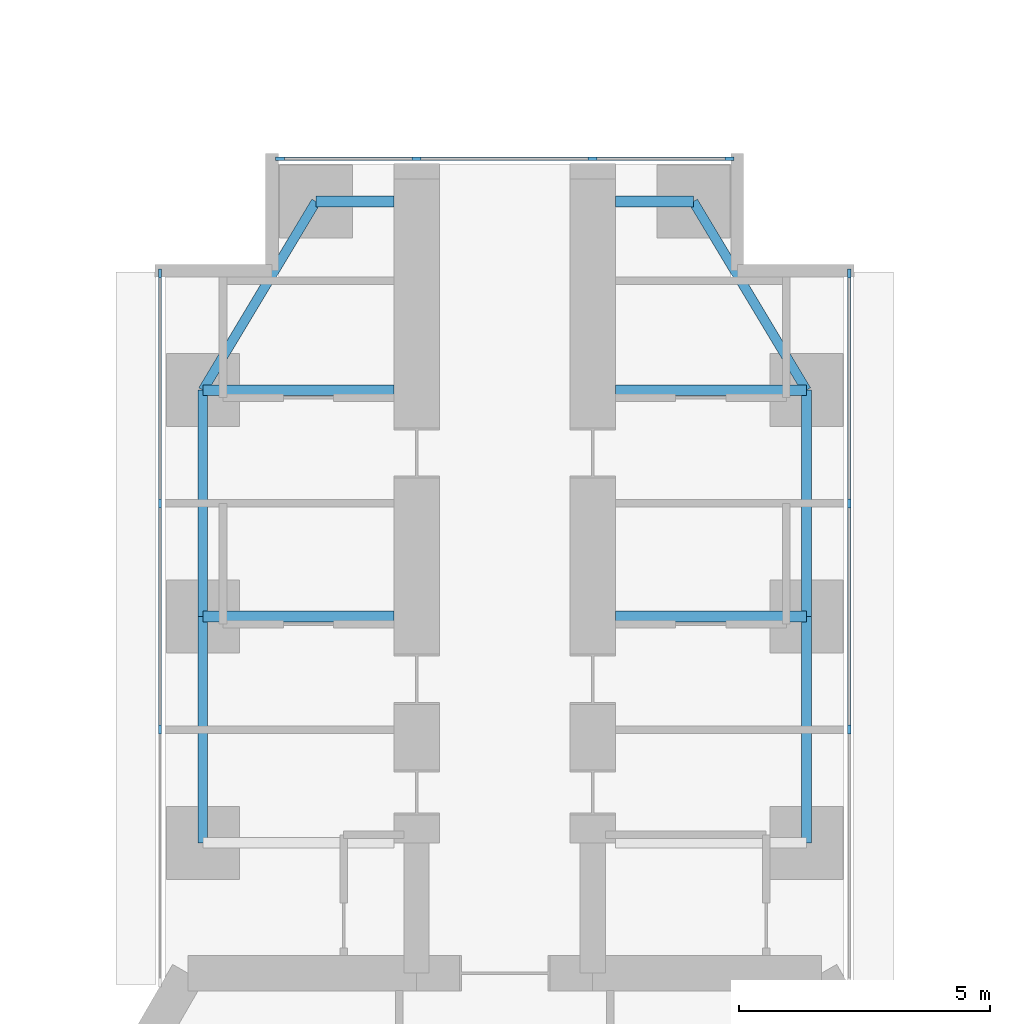
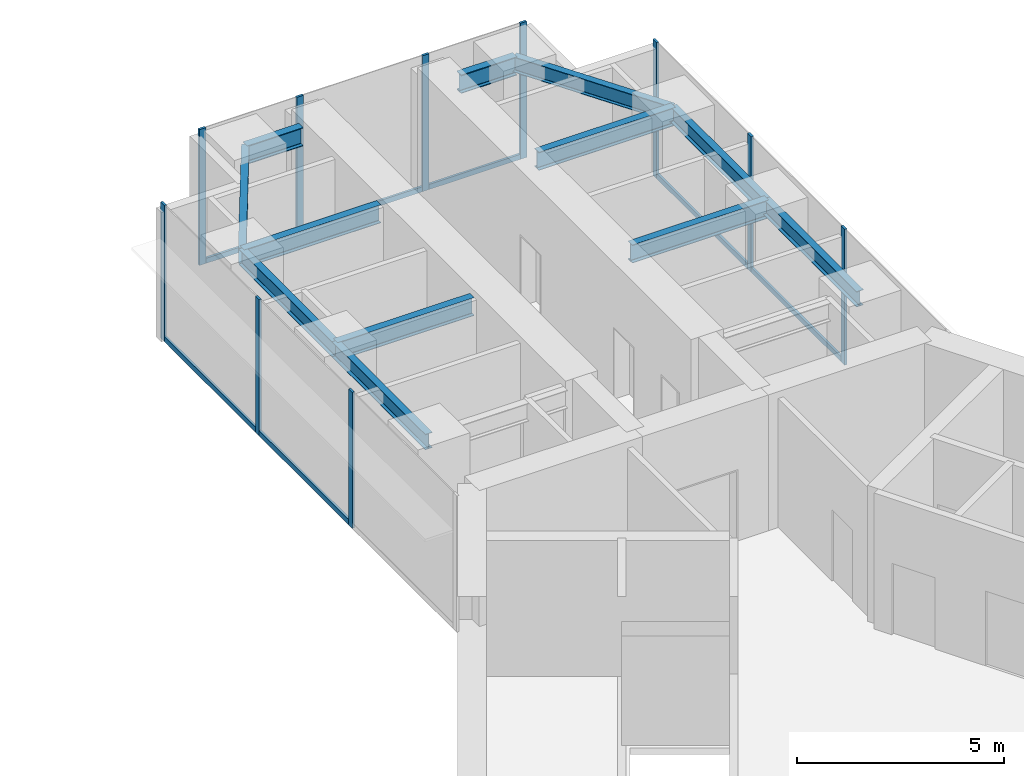
# One storey, part 13 of 24: 17 members, 12 beams, 3 elements without a shape of their own.
"""IFC4 building model written with IfcOpenShell, lengths in metres."""

from ifc_helpers import new_model, si_unit, direction, frame, origin, origin_2d, place, context, subcontext, project, spatial, rectangle, i_section, extrude, material, material_profile, profile_set, type_object, element, aggregate, save


model = new_model("IFC4")

# Units and contexts
model_context = context("Model", 3, precision=1e-05, world=origin(), true_north=direction((0.0, 1.0)))
body_context = subcontext(model_context, "Body", "Model", "MODEL_VIEW")
ifc_project = project(units=[si_unit("LENGTHUNIT", "METRE"), si_unit("AREAUNIT", "SQUARE_METRE"), si_unit("VOLUMEUNIT", "CUBIC_METRE"), si_unit("PLANEANGLEUNIT", "RADIAN"), si_unit("MASSUNIT", "GRAM", prefix="KILO")], contexts=[model_context])

# Site, building, storey
site_placement = place(None, origin())
site = spatial("IfcSite", under=ifc_project, at=site_placement, CompositionType="ELEMENT")
building_placement = place(site_placement, origin())
building = spatial("IfcBuilding", under=site, at=building_placement, Name="Upepo Twin Towers", CompositionType="ELEMENT")
storey_placement = place(building_placement, frame((0.0, 0.0, 68.5)))
storey = spatial("IfcBuildingStorey", under=building, at=storey_placement, Name="L16", CompositionType="ELEMENT", Elevation=68.5)

# Beams
ifc_material_1 = material(Name="Steel S355", Category="steel")
ifc_material_profile_1 = material_profile(ifc_material_1, i_section(OverallWidth=0.1904296875, OverallDepth=0.45703125, WebThickness=0.009033203125, FlangeThickness=0.014404296875, FilletRadius=0.01025390625, at=origin_2d()), Name="UB 457x191x74")
ifc_profile_set_1 = profile_set([ifc_material_profile_1], Name="Steel S355")
beam_type_1 = type_object("IfcBeamType", Name="Beam UB 457x191x74", PredefinedType="BEAM", material=ifc_profile_set_1)
for number, where, z_axis, x_axis, name in (
    (1, (52.5, -4.5, 3.571533203125), (0.0, 1.0, 0.0), (-1.0, 0.0, 0.0), "T2 edge beam AL 13.5-18.0"),
    (2, (52.5, 0.0, 3.571533203125), (0.0, 1.0, 0.0), (-1.0, 0.0, 0.0), "T2 edge beam AL 18.0-22.5"),
):
    element("IfcBeam", number, at=place(storey_placement, frame(where, z_axis=z_axis, x_axis=x_axis)), inside=storey, type_object=beam_type_1, Name=name, PredefinedType="BEAM", context=body_context, shape_type="SweptSolid", body=[
        extrude(i_section(OverallWidth=0.1904296875, OverallDepth=0.45703125, WebThickness=0.009033203125, FlangeThickness=0.014404296875, FilletRadius=0.01025390625, at=origin_2d()), origin(), (0.0, 0.0, 1.0), 4.5),
    ])
beam_1_placement = place(storey_placement, frame((52.5, 4.5, 3.571533203125), z_axis=(0.514495755428, 0.857492925713, 0.0), x_axis=(-0.857492925713, 0.514495755428, 0.0)))
element("IfcBeam", 3, at=beam_1_placement, inside=storey, type_object=beam_type_1, Name="T2 nose edge beam AL", PredefinedType="BEAM", context=body_context, shape_type="SweptSolid", body=[
    extrude(i_section(OverallWidth=0.1904296875, OverallDepth=0.45703125, WebThickness=0.009033203125, FlangeThickness=0.014404296875, FilletRadius=0.01025390625, at=origin_2d()), origin(), (0.0, 0.0, 1.0), 4.373291015625),
])
for number, where, z_axis, x_axis, name in (
    (4, (64.5, -4.5, 3.571533203125), (0.0, 1.0, 0.0), (-1.0, 0.0, 0.0), "T2 edge beam AR 13.5-18.0"),
    (5, (64.5, 0.0, 3.571533203125), (0.0, 1.0, 0.0), (-1.0, 0.0, 0.0), "T2 edge beam AR 18.0-22.5"),
):
    element("IfcBeam", number, at=place(storey_placement, frame(where, z_axis=z_axis, x_axis=x_axis)), inside=storey, type_object=beam_type_1, Name=name, PredefinedType="BEAM", context=body_context, shape_type="SweptSolid", body=[
        extrude(i_section(OverallWidth=0.1904296875, OverallDepth=0.45703125, WebThickness=0.009033203125, FlangeThickness=0.014404296875, FilletRadius=0.01025390625, at=origin_2d()), origin(), (0.0, 0.0, 1.0), 4.5),
    ])
beam_2_placement = place(storey_placement, frame((64.5, 4.5, 3.571533203125), z_axis=(-0.514495755428, 0.857492925713, 0.0), x_axis=(-0.857492925713, -0.514495755428, 0.0)))
element("IfcBeam", 6, at=beam_2_placement, inside=storey, type_object=beam_type_1, Name="T2 nose edge beam AR", PredefinedType="BEAM", context=body_context, shape_type="SweptSolid", body=[
    extrude(i_section(OverallWidth=0.1904296875, OverallDepth=0.45703125, WebThickness=0.009033203125, FlangeThickness=0.014404296875, FilletRadius=0.01025390625, at=origin_2d()), origin(), (0.0, 0.0, 1.0), 4.373291015625),
])
ifc_material_2 = material(Name="Steel S355", Category="steel")
ifc_material_profile_2 = material_profile(ifc_material_2, i_section(OverallWidth=0.2119140625, OverallDepth=0.54443359375, WebThickness=0.0126953125, FlangeThickness=0.021240234375, FilletRadius=0.0126953125, at=origin_2d()), Name="UB 533x210x122")
ifc_profile_set_2 = profile_set([ifc_material_profile_2], Name="Steel S355")
beam_type_2 = type_object("IfcBeamType", Name="Beam UB 533x210x122", PredefinedType="BEAM", material=ifc_profile_set_2)
for number, where, z_axis, x_axis, name in (
    (7, (54.75, 8.25, 3.52783203125), (1.0, 0.0, 0.0), (0.0, 1.0, 0.0), "T2 nose beam AL"),
    (8, (62.25, 8.25, 3.52783203125), (-1.0, 0.0, 0.0), (0.0, -1.0, 0.0), "T2 nose beam AR"),
):
    element("IfcBeam", number, at=place(storey_placement, frame(where, z_axis=z_axis, x_axis=x_axis)), inside=storey, type_object=beam_type_2, Name=name, PredefinedType="BEAM", context=body_context, shape_type="SweptSolid", body=[
        extrude(i_section(OverallWidth=0.2119140625, OverallDepth=0.54443359375, WebThickness=0.0126953125, FlangeThickness=0.021240234375, FilletRadius=0.0126953125, at=origin_2d()), origin(), (0.0, 0.0, 1.0), 1.550048828125),
    ])
ifc_material_3 = material(Name="Steel S355", Category="steel")
ifc_material_profile_3 = material_profile(ifc_material_3, i_section(OverallWidth=0.209228515625, OverallDepth=0.533203125, WebThickness=0.010009765625, FlangeThickness=0.015625, FilletRadius=0.0126953125, at=origin_2d()), Name="UB 533x210x92")
ifc_profile_set_3 = profile_set([ifc_material_profile_3], Name="Steel S355")
beam_type_3 = type_object("IfcBeamType", Name="Beam UB 533x210x92", PredefinedType="BEAM", material=ifc_profile_set_3)
for number, where, z_axis, x_axis, name in (
    (9, (52.5, 0.0, 3.533447265625), (1.0, 0.0, 0.0), (0.0, 1.0, 0.0), "T2 girder AL at 18.0"),
    (10, (52.5, 4.5, 3.533447265625), (1.0, 0.0, 0.0), (0.0, 1.0, 0.0), "T2 girder AL at 22.5"),
    (11, (64.5, 0.0, 3.533447265625), (-1.0, 0.0, 0.0), (0.0, -1.0, 0.0), "T2 girder AR at 18.0"),
    (12, (64.5, 4.5, 3.533447265625), (-1.0, 0.0, 0.0), (0.0, -1.0, 0.0), "T2 girder AR at 22.5"),
):
    element("IfcBeam", number, at=place(storey_placement, frame(where, z_axis=z_axis, x_axis=x_axis)), inside=storey, type_object=beam_type_3, Name=name, PredefinedType="BEAM", context=body_context, shape_type="SweptSolid", body=[
        extrude(i_section(OverallWidth=0.209228515625, OverallDepth=0.533203125, WebThickness=0.010009765625, FlangeThickness=0.015625, FilletRadius=0.0126953125, at=origin_2d()), origin(), (0.0, 0.0, 1.0), 3.800048828125),
    ])

# Curtain wall, members
ifc_material_4 = material(Name="Aluminium and fritted glass", Category="aluminium")
curtain_wall_type = type_object("IfcCurtainWallType", Name="Tower curtain wall TW1, fritted glass", PredefinedType="NOTDEFINED", material=ifc_material_4)
curtain_wall_1_placement = place(storey_placement, origin())
curtain_wall_1 = element("IfcCurtainWall", 13, at=curtain_wall_1_placement, inside=storey, type_object=curtain_wall_type, Name="T2 L16 wing A flank L curtain wall", PredefinedType="NOTDEFINED")
ifc_material_5 = material(Name="Aluminium mullion", Category="aluminium")
ifc_material_profile_4 = material_profile(ifc_material_5, rectangle(XDim=0.06494140625, YDim=0.179931640625, at=origin_2d()), Name="MULLION 65x180")
ifc_profile_set_4 = profile_set([ifc_material_profile_4], Name="Aluminium mullion")
member_type_1 = type_object("IfcMemberType", Name="Mullion 65x180 TW1", PredefinedType="MULLION", material=ifc_profile_set_4)
member_1_placement = place(storey_placement, frame((51.64990234375, -2.25, 0.0), z_axis=(0.0, 0.0, 1.0), x_axis=(-1.0, 0.0, 0.0)))
member_1 = element("IfcMember", 14, at=member_1_placement, type_object=member_type_1, Name="T2 L16 wing A flank L curtain wall mullion 2", PredefinedType="MULLION", context=body_context, shape_type="SweptSolid", body=[
    extrude(rectangle(XDim=0.06494140625, YDim=0.179931640625, at=origin_2d()), origin(), (0.0, 0.0, 1.0), 4.0),
])
member_2_placement = place(storey_placement, frame((51.64990234375, 2.25, 0.0), z_axis=(0.0, 0.0, 1.0), x_axis=(-1.0, 0.0, 0.0)))
member_2 = element("IfcMember", 15, at=member_2_placement, type_object=member_type_1, Name="T2 L16 wing A flank L curtain wall mullion 3", PredefinedType="MULLION", context=body_context, shape_type="SweptSolid", body=[
    extrude(rectangle(XDim=0.06494140625, YDim=0.179931640625, at=origin_2d()), origin(), (0.0, 0.0, 1.0), 4.0),
])
member_3_placement = place(storey_placement, frame((51.64990234375, 6.8173828125, 0.0), z_axis=(0.0, 0.0, 1.0), x_axis=(-1.0, 0.0, 0.0)))
member_3 = element("IfcMember", 16, at=member_3_placement, type_object=member_type_1, Name="T2 L16 wing A flank L curtain wall mullion 4", PredefinedType="MULLION", context=body_context, shape_type="SweptSolid", body=[
    extrude(rectangle(XDim=0.06494140625, YDim=0.179931640625, at=origin_2d()), origin(), (0.0, 0.0, 1.0), 4.0),
])

curtain_wall_2_placement = place(storey_placement, origin())
curtain_wall_2 = element("IfcCurtainWall", 17, at=curtain_wall_2_placement, inside=storey, type_object=curtain_wall_type, Name="T2 L16 wing A flank R curtain wall", PredefinedType="NOTDEFINED")
member_4_placement = place(storey_placement, frame((65.35009765625, 6.8173828125, 0.0), z_axis=(0.0, 0.0, 1.0), x_axis=(1.0, 0.0, 0.0)))
member_4 = element("IfcMember", 18, at=member_4_placement, type_object=member_type_1, Name="T2 L16 wing A flank R curtain wall mullion 1", PredefinedType="MULLION", context=body_context, shape_type="SweptSolid", body=[
    extrude(rectangle(XDim=0.06494140625, YDim=0.179931640625, at=origin_2d()), origin(), (0.0, 0.0, 1.0), 4.0),
])
member_5_placement = place(storey_placement, frame((65.35009765625, 2.25, 0.0), z_axis=(0.0, 0.0, 1.0), x_axis=(1.0, 0.0, 0.0)))
member_5 = element("IfcMember", 19, at=member_5_placement, type_object=member_type_1, Name="T2 L16 wing A flank R curtain wall mullion 2", PredefinedType="MULLION", context=body_context, shape_type="SweptSolid", body=[
    extrude(rectangle(XDim=0.06494140625, YDim=0.179931640625, at=origin_2d()), origin(), (0.0, 0.0, 1.0), 4.0),
])
member_6_placement = place(storey_placement, frame((65.35009765625, -2.25, 0.0), z_axis=(0.0, 0.0, 1.0), x_axis=(1.0, 0.0, 0.0)))
member_6 = element("IfcMember", 20, at=member_6_placement, type_object=member_type_1, Name="T2 L16 wing A flank R curtain wall mullion 3", PredefinedType="MULLION", context=body_context, shape_type="SweptSolid", body=[
    extrude(rectangle(XDim=0.06494140625, YDim=0.179931640625, at=origin_2d()), origin(), (0.0, 0.0, 1.0), 4.0),
])

curtain_wall_3_placement = place(storey_placement, origin())
curtain_wall_3 = element("IfcCurtainWall", 21, at=curtain_wall_3_placement, inside=storey, type_object=curtain_wall_type, Name="T2 L16 wing A nose curtain wall", PredefinedType="NOTDEFINED")
member_7_placement = place(storey_placement, frame((62.967529296875, 9.10009765625, 0.0), z_axis=(0.0, 0.0, 1.0), x_axis=(0.0, -1.0, 0.0)))
member_7 = element("IfcMember", 22, at=member_7_placement, type_object=member_type_1, Name="T2 L16 wing A nose curtain wall mullion 1", PredefinedType="MULLION", context=body_context, shape_type="SweptSolid", body=[
    extrude(rectangle(XDim=0.06494140625, YDim=0.179931640625, at=origin_2d()), origin(), (0.0, 0.0, 1.0), 4.0),
])
member_8_placement = place(storey_placement, frame((60.25, 9.10009765625, 0.0), z_axis=(0.0, 0.0, 1.0), x_axis=(0.0, -1.0, 0.0)))
member_8 = element("IfcMember", 23, at=member_8_placement, type_object=member_type_1, Name="T2 L16 wing A nose curtain wall mullion 2", PredefinedType="MULLION", context=body_context, shape_type="SweptSolid", body=[
    extrude(rectangle(XDim=0.06494140625, YDim=0.179931640625, at=origin_2d()), origin(), (0.0, 0.0, 1.0), 4.0),
])
member_9_placement = place(storey_placement, frame((56.75, 9.10009765625, 0.0), z_axis=(0.0, 0.0, 1.0), x_axis=(0.0, -1.0, 0.0)))
member_9 = element("IfcMember", 24, at=member_9_placement, type_object=member_type_1, Name="T2 L16 wing A nose curtain wall mullion 3", PredefinedType="MULLION", context=body_context, shape_type="SweptSolid", body=[
    extrude(rectangle(XDim=0.06494140625, YDim=0.179931640625, at=origin_2d()), origin(), (0.0, 0.0, 1.0), 4.0),
])
member_10_placement = place(storey_placement, frame((54.032470703125, 9.10009765625, 0.0), z_axis=(0.0, 0.0, 1.0), x_axis=(0.0, -1.0, 0.0)))
member_10 = element("IfcMember", 25, at=member_10_placement, type_object=member_type_1, Name="T2 L16 wing A nose curtain wall mullion 4", PredefinedType="MULLION", context=body_context, shape_type="SweptSolid", body=[
    extrude(rectangle(XDim=0.06494140625, YDim=0.179931640625, at=origin_2d()), origin(), (0.0, 0.0, 1.0), 4.0),
])

# Member
ifc_material_6 = material(Name="Aluminium transom", Category="aluminium")
ifc_material_profile_5 = material_profile(ifc_material_6, rectangle(XDim=0.06494140625, YDim=0.14990234375, at=origin_2d()), Name="TRANSOM 65x150")
ifc_profile_set_5 = profile_set([ifc_material_profile_5], Name="Aluminium transom")
member_type_2 = type_object("IfcMemberType", Name="Transom 65x150 TW1", PredefinedType="USERDEFINED", material=ifc_profile_set_5)
member_11_placement = place(storey_placement, frame((51.64990234375, -2.217529296875, 0.074951171875), z_axis=(0.0, 1.0, 0.0), x_axis=(-1.0, 0.0, 0.0)))
member_11 = element("IfcMember", 26, at=member_11_placement, type_object=member_type_2, Name="T2 L16 wing A flank L curtain wall transom 2", ObjectType="TRANSOM", PredefinedType="USERDEFINED", context=body_context, shape_type="SweptSolid", body=[
    extrude(rectangle(XDim=0.06494140625, YDim=0.14990234375, at=origin_2d()), origin(), (0.0, 0.0, 1.0), 4.43505859375),
])

member_12_placement = place(storey_placement, frame((51.64990234375, 2.282470703125, 0.074951171875), z_axis=(0.0, 1.0, 0.0), x_axis=(-1.0, 0.0, 0.0)))
member_12 = element("IfcMember", 27, at=member_12_placement, type_object=member_type_2, Name="T2 L16 wing A flank L curtain wall transom 3", ObjectType="TRANSOM", PredefinedType="USERDEFINED", context=body_context, shape_type="SweptSolid", body=[
    extrude(rectangle(XDim=0.06494140625, YDim=0.14990234375, at=origin_2d()), origin(), (0.0, 0.0, 1.0), 4.50244140625),
])

aggregate(curtain_wall_1, [member_1, member_2, member_3, member_11, member_12])

member_13_placement = place(storey_placement, frame((65.35009765625, 6.784912109375, 0.074951171875), z_axis=(0.0, -1.0, 0.0), x_axis=(1.0, 0.0, 0.0)))
member_13 = element("IfcMember", 28, at=member_13_placement, type_object=member_type_2, Name="T2 L16 wing A flank R curtain wall transom 1", ObjectType="TRANSOM", PredefinedType="USERDEFINED", context=body_context, shape_type="SweptSolid", body=[
    extrude(rectangle(XDim=0.06494140625, YDim=0.14990234375, at=origin_2d()), origin(), (0.0, 0.0, 1.0), 4.50244140625),
])

member_14_placement = place(storey_placement, frame((65.35009765625, 2.217529296875, 0.074951171875), z_axis=(0.0, -1.0, 0.0), x_axis=(1.0, 0.0, 0.0)))
member_14 = element("IfcMember", 29, at=member_14_placement, type_object=member_type_2, Name="T2 L16 wing A flank R curtain wall transom 2", ObjectType="TRANSOM", PredefinedType="USERDEFINED", context=body_context, shape_type="SweptSolid", body=[
    extrude(rectangle(XDim=0.06494140625, YDim=0.14990234375, at=origin_2d()), origin(), (0.0, 0.0, 1.0), 4.43505859375),
])

aggregate(curtain_wall_2, [member_4, member_5, member_6, member_13, member_14])

member_15_placement = place(storey_placement, frame((62.93505859375, 9.10009765625, 0.074951171875), z_axis=(-1.0, 0.0, 0.0), x_axis=(0.0, -1.0, 0.0)))
member_15 = element("IfcMember", 30, at=member_15_placement, type_object=member_type_2, Name="T2 L16 wing A nose curtain wall transom 1", ObjectType="TRANSOM", PredefinedType="USERDEFINED", context=body_context, shape_type="SweptSolid", body=[
    extrude(rectangle(XDim=0.06494140625, YDim=0.14990234375, at=origin_2d()), origin(), (0.0, 0.0, 1.0), 2.652587890625),
])

member_16_placement = place(storey_placement, frame((60.217529296875, 9.10009765625, 0.074951171875), z_axis=(-1.0, 0.0, 0.0), x_axis=(0.0, -1.0, 0.0)))
member_16 = element("IfcMember", 31, at=member_16_placement, type_object=member_type_2, Name="T2 L16 wing A nose curtain wall transom 2", ObjectType="TRANSOM", PredefinedType="USERDEFINED", context=body_context, shape_type="SweptSolid", body=[
    extrude(rectangle(XDim=0.06494140625, YDim=0.14990234375, at=origin_2d()), origin(), (0.0, 0.0, 1.0), 3.43505859375),
])

member_17_placement = place(storey_placement, frame((56.717529296875, 9.10009765625, 0.074951171875), z_axis=(-1.0, 0.0, 0.0), x_axis=(0.0, -1.0, 0.0)))
member_17 = element("IfcMember", 32, at=member_17_placement, type_object=member_type_2, Name="T2 L16 wing A nose curtain wall transom 3", ObjectType="TRANSOM", PredefinedType="USERDEFINED", context=body_context, shape_type="SweptSolid", body=[
    extrude(rectangle(XDim=0.06494140625, YDim=0.14990234375, at=origin_2d()), origin(), (0.0, 0.0, 1.0), 2.652587890625),
])

aggregate(curtain_wall_3, [member_7, member_8, member_9, member_10, member_15, member_16, member_17])

save(model, "model.ifc")
